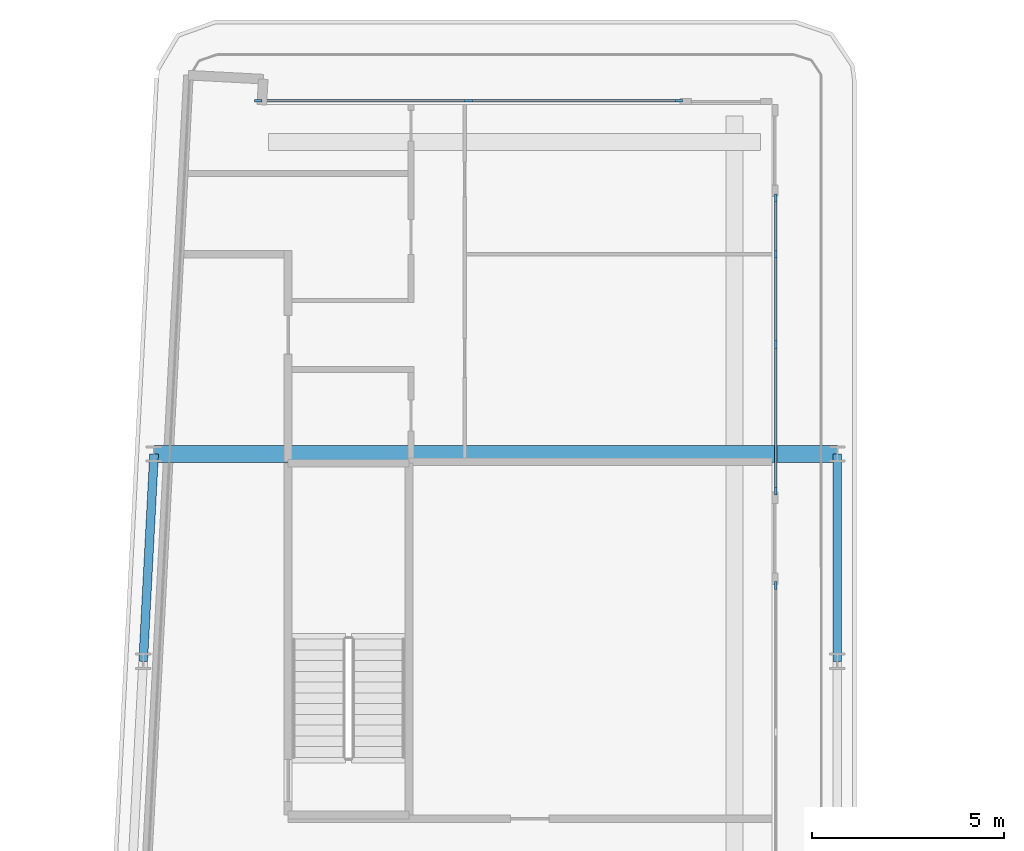
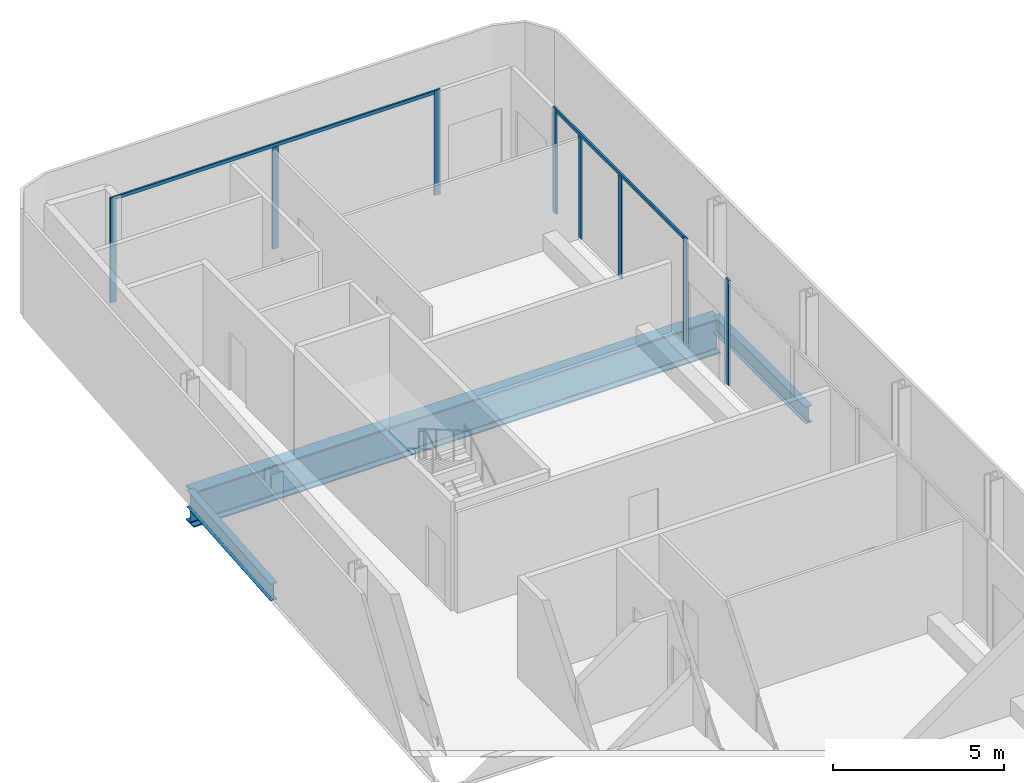
# One storey, part 11 of 29: 10 members, 3 beams, 3 elements without a shape of their own.
"""IFC4 building model written with IfcOpenShell, lengths in metres."""

from ifc_helpers import new_model, si_unit, direction, frame, origin, origin_2d, place, context, subcontext, project, spatial, rectangle, i_section, extrude, material, layer, layer_set, material_profile, profile_set, type_object, element, aggregate, save


model = new_model("IFC4")

# Units and contexts
model_context = context("Model", 3, precision=1e-05, world=origin(), true_north=direction((0.0, 1.0)))
body_context = subcontext(model_context, "Body", "Model", "MODEL_VIEW")
ifc_project = project(units=[si_unit("LENGTHUNIT", "METRE"), si_unit("AREAUNIT", "SQUARE_METRE"), si_unit("VOLUMEUNIT", "CUBIC_METRE"), si_unit("PLANEANGLEUNIT", "RADIAN"), si_unit("MASSUNIT", "GRAM", prefix="KILO")], contexts=[model_context])

# Site, building, storey
site_placement = place(None, origin())
site = spatial("IfcSite", under=ifc_project, at=site_placement, CompositionType="ELEMENT")
building_placement = place(site_placement, origin())
building = spatial("IfcBuilding", under=site, at=building_placement, Name="Kheshtan School and Residences Tower", CompositionType="ELEMENT")
storey_placement = place(building_placement, frame((0.0, 0.0, 179.89990234375)))
storey = spatial("IfcBuildingStorey", under=building, at=storey_placement, Name="L42", CompositionType="ELEMENT", Elevation=179.89990234375)

# Beams
ifc_material_1 = material(Name="Steel ASTM A992 Grade 50", Category="steel")
ifc_material_profile_1 = material_profile(ifc_material_1, i_section(OverallWidth=0.22802734375, OverallDepth=0.60302734375, WebThickness=0.010498046875, FlangeThickness=0.014892578125, FilletRadius=0.013427734375, at=origin_2d()), Name="W610x101")
ifc_profile_set_1 = profile_set([ifc_material_profile_1], Name="Steel ASTM A992 Grade 50")
beam_type_1 = type_object("IfcBeamType", Name="Beam SP2 W610x101 ASTM A992 Grade 50", PredefinedType="BEAM", material=ifc_profile_set_1)
beam_1_placement = place(storey_placement, frame((47.60009765625, 88.800048828125, -0.451416015625), z_axis=(0.0, -1.0, 0.0), x_axis=(1.0, 0.0, 0.0)))
element("IfcBeam", 1, at=beam_1_placement, inside=storey, type_object=beam_type_1, Name="Spandrel beam C099-C091", PredefinedType="BEAM", context=body_context, shape_type="SweptSolid", body=[
    extrude(i_section(OverallWidth=0.22802734375, OverallDepth=0.60302734375, WebThickness=0.010498046875, FlangeThickness=0.014892578125, FilletRadius=0.013427734375, at=origin_2d()), origin(), (0.0, 0.0, 1.0), 5.400146484375),
])
beam_2_placement = place(storey_placement, frame((29.527099609375, 83.39990234375, -0.451416015625), z_axis=(0.05250670125, 0.998620571751, 0.0), x_axis=(-0.998620571751, 0.05250670125, 0.0)))
element("IfcBeam", 2, at=beam_2_placement, inside=storey, type_object=beam_type_1, Name="Spandrel beam C090-C098", PredefinedType="BEAM", context=body_context, shape_type="SweptSolid", body=[
    extrude(i_section(OverallWidth=0.22802734375, OverallDepth=0.60302734375, WebThickness=0.010498046875, FlangeThickness=0.014892578125, FilletRadius=0.013427734375, at=origin_2d()), origin(), (0.0, 0.0, 1.0), 5.40771484375),
])

# Curtain wall, members
ifc_material_2 = material(Name="Clear low-e glass in thermally broken aluminium frame", Category="aluminium")
ifc_layer = layer(ifc_material_2, 0.199951171875)
ifc_layer_set = layer_set([ifc_layer], Name="Curtain wall CW-L")
curtain_wall_type = type_object("IfcCurtainWallType", Name="Curtain wall CW-L", PredefinedType="NOTDEFINED", material=ifc_layer_set)
curtain_wall_1_placement = place(storey_placement, origin())
curtain_wall_1 = element("IfcCurtainWall", 3, at=curtain_wall_1_placement, inside=storey, type_object=curtain_wall_type, Name="Curtain wall CWL7", PredefinedType="NOTDEFINED")
ifc_material_3 = material(Name="Thermally broken aluminium, dark bronze anodised", Category="aluminium")
ifc_material_profile_2 = material_profile(ifc_material_3, rectangle(XDim=0.06005859375, YDim=0.199951171875, at=origin_2d()), Name="CW-L mullion 60x200")
ifc_profile_set_2 = profile_set([ifc_material_profile_2], Name="Thermally broken aluminium, dark bronze anodised")
member_type_1 = type_object("IfcMemberType", Name="CW-L mullion 60x200", PredefinedType="MULLION", material=ifc_profile_set_2)
member_1_placement = place(storey_placement, frame((32.52197265625, 98.0, 0.0), z_axis=(0.0, 0.0, 1.0), x_axis=(0.0, 1.0, 0.0)))
member_1 = element("IfcMember", 4, at=member_1_placement, type_object=member_type_1, Name="CWL7 mullion 1", PredefinedType="MULLION", context=body_context, shape_type="SweptSolid", body=[
    extrude(rectangle(XDim=0.06005859375, YDim=0.199951171875, at=origin_2d()), origin(), (0.0, 0.0, 1.0), 3.75),
])
member_2_placement = place(storey_placement, frame((37.99609375, 98.0, 0.0), z_axis=(0.0, 0.0, 1.0), x_axis=(0.0, 1.0, 0.0)))
member_2 = element("IfcMember", 5, at=member_2_placement, type_object=member_type_1, Name="CWL7 mullion 2", PredefinedType="MULLION", context=body_context, shape_type="SweptSolid", body=[
    extrude(rectangle(XDim=0.06005859375, YDim=0.199951171875, at=origin_2d()), origin(), (0.0, 0.0, 1.0), 3.630126953125),
])
member_3_placement = place(storey_placement, frame((43.469970703125, 98.0, 0.0), z_axis=(0.0, 0.0, 1.0), x_axis=(0.0, 1.0, 0.0)))
member_3 = element("IfcMember", 6, at=member_3_placement, type_object=member_type_1, Name="CWL7 mullion 3", PredefinedType="MULLION", context=body_context, shape_type="SweptSolid", body=[
    extrude(rectangle(XDim=0.06005859375, YDim=0.199951171875, at=origin_2d()), origin(), (0.0, 0.0, 1.0), 3.75),
])

curtain_wall_2_placement = place(storey_placement, origin())
curtain_wall_2 = element("IfcCurtainWall", 7, at=curtain_wall_2_placement, inside=storey, type_object=curtain_wall_type, Name="Curtain wall CWL8c", PredefinedType="NOTDEFINED")
member_4_placement = place(storey_placement, frame((46.0, 95.469970703125, 0.0), z_axis=(0.0, 0.0, 1.0), x_axis=(1.0, 0.0, 0.0)))
member_4 = element("IfcMember", 8, at=member_4_placement, type_object=member_type_1, Name="CWL8c mullion 1", PredefinedType="MULLION", context=body_context, shape_type="SweptSolid", body=[
    extrude(rectangle(XDim=0.06005859375, YDim=0.199951171875, at=origin_2d()), origin(), (0.0, 0.0, 1.0), 3.75),
])
member_5_placement = place(storey_placement, frame((46.0, 94.0, 0.0), z_axis=(0.0, 0.0, 1.0), x_axis=(1.0, 0.0, 0.0)))
member_5 = element("IfcMember", 9, at=member_5_placement, type_object=member_type_1, Name="CWL8c mullion 2", PredefinedType="MULLION", context=body_context, shape_type="SweptSolid", body=[
    extrude(rectangle(XDim=0.06005859375, YDim=0.199951171875, at=origin_2d()), origin(), (0.0, 0.0, 1.0), 3.630126953125),
])
member_6_placement = place(storey_placement, frame((46.0, 91.653076171875, 0.0), z_axis=(0.0, 0.0, 1.0), x_axis=(1.0, 0.0, 0.0)))
member_6 = element("IfcMember", 10, at=member_6_placement, type_object=member_type_1, Name="CWL8c mullion 3", PredefinedType="MULLION", context=body_context, shape_type="SweptSolid", body=[
    extrude(rectangle(XDim=0.06005859375, YDim=0.199951171875, at=origin_2d()), origin(), (0.0, 0.0, 1.0), 3.630126953125),
])
member_7_placement = place(storey_placement, frame((46.0, 87.8359375, 0.0), z_axis=(0.0, 0.0, 1.0), x_axis=(1.0, 0.0, 0.0)))
member_7 = element("IfcMember", 11, at=member_7_placement, type_object=member_type_1, Name="CWL8c mullion 4", PredefinedType="MULLION", context=body_context, shape_type="SweptSolid", body=[
    extrude(rectangle(XDim=0.06005859375, YDim=0.199951171875, at=origin_2d()), origin(), (0.0, 0.0, 1.0), 3.75),
])

# Curtain wall, member
curtain_wall_3_placement = place(storey_placement, origin())
curtain_wall_3 = element("IfcCurtainWall", 12, at=curtain_wall_3_placement, inside=storey, type_object=curtain_wall_type, Name="Curtain wall CWL8", PredefinedType="NOTDEFINED")
member_8_placement = place(storey_placement, frame((46.0, 85.3759765625, 0.0), z_axis=(0.0, 0.0, 1.0), x_axis=(1.0, 0.0, 0.0)))
member_8 = element("IfcMember", 13, at=member_8_placement, type_object=member_type_1, Name="CWL8 mullion 1", PredefinedType="MULLION", context=body_context, shape_type="SweptSolid", body=[
    extrude(rectangle(XDim=0.06005859375, YDim=0.199951171875, at=origin_2d()), origin(), (0.0, 0.0, 1.0), 3.75),
])
aggregate(curtain_wall_3, [member_8])

# Member
ifc_material_profile_3 = material_profile(ifc_material_3, rectangle(XDim=0.06005859375, YDim=0.1201171875, at=origin_2d()), Name="CW-L transom 60x120")
ifc_profile_set_3 = profile_set([ifc_material_profile_3], Name="Thermally broken aluminium, dark bronze anodised")
member_type_2 = type_object("IfcMemberType", Name="CW-L transom 60x120", PredefinedType="USERDEFINED", material=ifc_profile_set_3)
member_9_placement = place(storey_placement, frame((32.552001953125, 98.0, 3.690185546875), z_axis=(1.0, 0.0, 0.0), x_axis=(0.0, 1.0, 0.0)))
member_9 = element("IfcMember", 14, at=member_9_placement, type_object=member_type_2, Name="CWL7 transom 1", ObjectType="TRANSOM", PredefinedType="USERDEFINED", context=body_context, shape_type="SweptSolid", body=[
    extrude(rectangle(XDim=0.06005859375, YDim=0.1201171875, at=origin_2d()), origin(), (0.0, 0.0, 1.0), 10.887939453125),
])

aggregate(curtain_wall_1, [member_1, member_2, member_3, member_9])

member_10_placement = place(storey_placement, frame((46.0, 95.43994140625, 3.690185546875), z_axis=(0.0, -1.0, 0.0), x_axis=(1.0, 0.0, 0.0)))
member_10 = element("IfcMember", 15, at=member_10_placement, type_object=member_type_2, Name="CWL8c transom 1", ObjectType="TRANSOM", PredefinedType="USERDEFINED", context=body_context, shape_type="SweptSolid", body=[
    extrude(rectangle(XDim=0.06005859375, YDim=0.1201171875, at=origin_2d()), origin(), (0.0, 0.0, 1.0), 7.573974609375),
])

aggregate(curtain_wall_2, [member_4, member_5, member_6, member_7, member_10])

# Beam
ifc_material_profile_4 = material_profile(ifc_material_1, i_section(OverallWidth=0.449951171875, OverallDepth=1.25, WebThickness=0.02490234375, FlangeThickness=0.044921875, FilletRadius=0.03759765625, at=origin_2d()), Name="WWF1250x546")
ifc_profile_set_4 = profile_set([ifc_material_profile_4], Name="Steel ASTM A992 Grade 50")
beam_type_2 = type_object("IfcBeamType", Name="Transfer girder TG4 WWF1250x546 ASTM A992 Grade 50", PredefinedType="BEAM", material=ifc_profile_set_4)
beam_3_placement = place(storey_placement, frame((29.81103515625, 88.800048828125, -0.77490234375), z_axis=(1.0, 0.0, 0.0), x_axis=(0.0, 1.0, 0.0)))
element("IfcBeam", 16, at=beam_3_placement, inside=storey, type_object=beam_type_2, Name="Transfer girder C098-C099", PredefinedType="BEAM", context=body_context, shape_type="SweptSolid", body=[
    extrude(i_section(OverallWidth=0.449951171875, OverallDepth=1.25, WebThickness=0.02490234375, FlangeThickness=0.044921875, FilletRadius=0.03759765625, at=origin_2d()), origin(), (0.0, 0.0, 1.0), 17.7890625),
])

save(model, "model.ifc")
